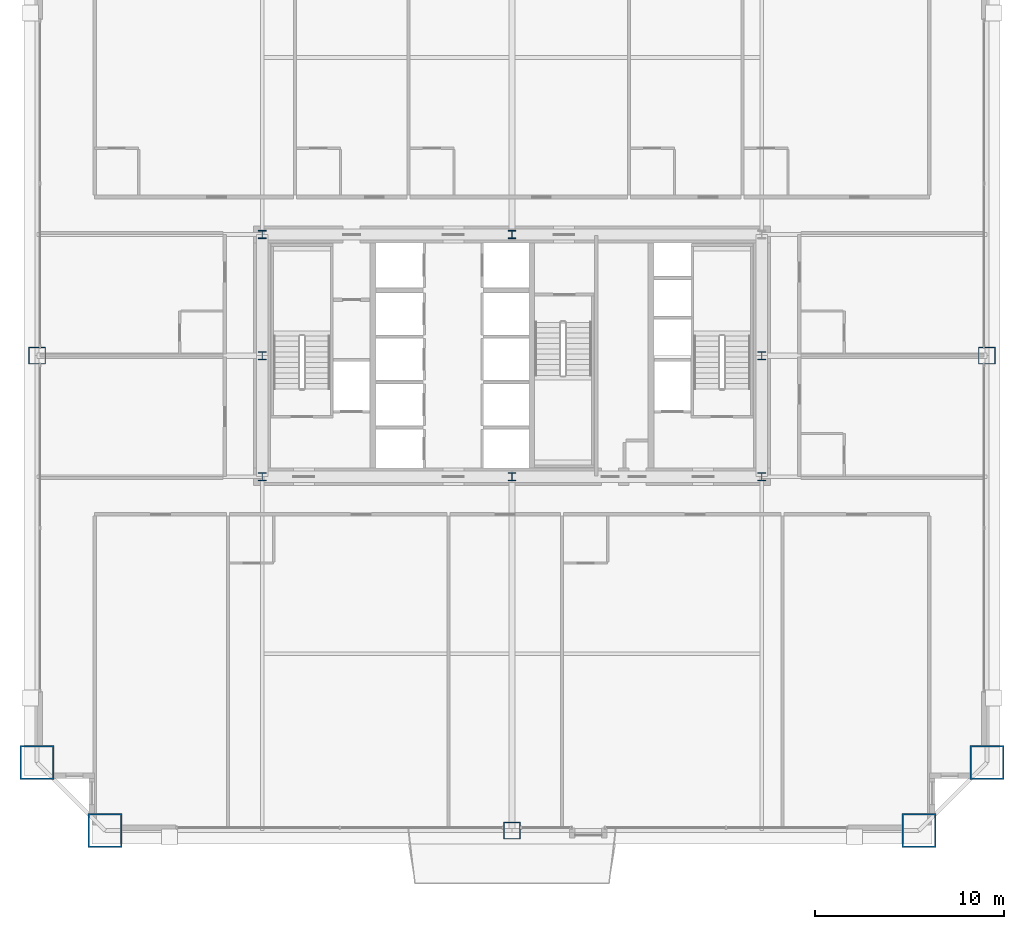
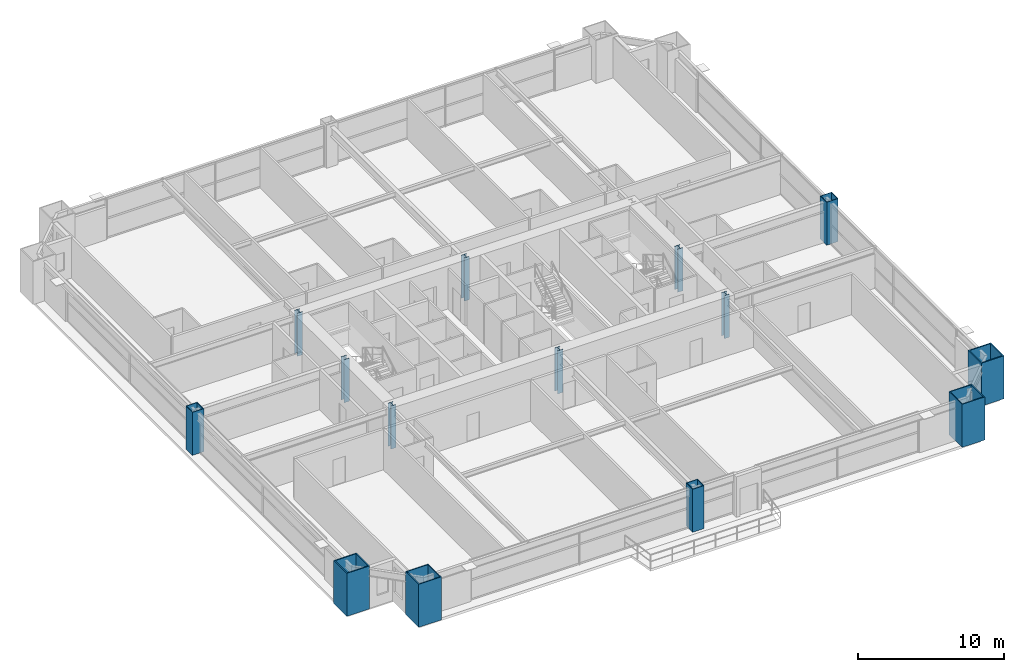
# One storey, part 1 of 43: 14 columns.
"""IFC4 building model written with IfcOpenShell, lengths in metres."""

from ifc_helpers import new_model, si_unit, direction, frame, origin, origin_2d, place, context, subcontext, project, spatial, hollow_rectangle, i_section, extrude, source, transform, mapped, material, material_profile, profile_set, type_object, element, save


model = new_model("IFC4")

# Units and contexts
model_context = context("Model", 3, precision=1e-05, world=origin(), true_north=direction((0.0, 1.0)))
body_context = subcontext(model_context, "Body", "Model", "MODEL_VIEW")
ifc_project = project(units=[si_unit("LENGTHUNIT", "METRE"), si_unit("AREAUNIT", "SQUARE_METRE"), si_unit("VOLUMEUNIT", "CUBIC_METRE"), si_unit("PLANEANGLEUNIT", "RADIAN"), si_unit("MASSUNIT", "GRAM", prefix="KILO"), si_unit("THERMODYNAMICTEMPERATUREUNIT", "KELVIN"), si_unit("POWERUNIT", "WATT")], contexts=[model_context])

# Site, building, storey
site_placement = place(None, origin())
site = spatial("IfcSite", under=ifc_project, at=site_placement, CompositionType="ELEMENT")
building_placement = place(site_placement, origin())
building = spatial("IfcBuilding", under=site, at=building_placement, Name="Yuzanri Waterfront Tower", CompositionType="ELEMENT")
storey_placement = place(building_placement, frame((0.0, 0.0, 78.39990234375)))
storey = spatial("IfcBuildingStorey", under=building, at=storey_placement, Name="L20", CompositionType="ELEMENT", Elevation=78.39990234375)

# Columns
ifc_material_1 = material(Name="Steel Q355B", Category="steel")
ifc_material_profile_1 = material_profile(ifc_material_1, i_section(OverallWidth=0.406982421875, OverallDepth=0.427978515625, WebThickness=0.02001953125, FlangeThickness=0.034912109375, at=origin_2d()), Name="HW 428x407x20x35")
ifc_profile_set_1 = profile_set([ifc_material_profile_1], Name="Steel Q355B")
column_type_1 = type_object("IfcColumnType", Name="Core Post Q355B HW 428x407x20x35", PredefinedType="COLUMN", material=ifc_profile_set_1)
shared_shape_1 = source(origin(), body_context, "Body", "SweptSolid", [
    extrude(i_section(OverallWidth=0.406982421875, OverallDepth=0.427978515625, WebThickness=0.02001953125, FlangeThickness=0.034912109375, at=origin_2d()), origin(), (0.0, 0.0, 1.0), 3.60009765625),
])
for number, where, z_axis, x_axis, name in (
    (1, (23.800048828125, 19.39990234375, 0.0), (0.0, 0.0, 1.0), (1.0, 0.0, 0.0), "L20 Core Boundary Column CP1"),
    (2, (37.0, 19.39990234375, 0.0), (0.0, 0.0, 1.0), (1.0, 0.0, 0.0), "L20 Core Boundary Column CP2"),
    (3, (50.199951171875, 19.39990234375, 0.0), (0.0, 0.0, 1.0), (1.0, 0.0, 0.0), "L20 Core Boundary Column CP3"),
    (4, (23.800048828125, 25.800048828125, 0.0), (0.0, 0.0, 1.0), (1.0, 0.0, 0.0), "L20 Core Boundary Column CP4"),
    (5, (50.199951171875, 25.800048828125, 0.0), (0.0, 0.0, 1.0), (1.0, 0.0, 0.0), "L20 Core Boundary Column CP5"),
    (6, (23.800048828125, 32.199951171875, 0.0), (0.0, 0.0, 1.0), (1.0, 0.0, 0.0), "L20 Core Boundary Column CP6"),
    (7, (37.0, 32.199951171875, 0.0), (0.0, 0.0, 1.0), (1.0, 0.0, 0.0), "L20 Core Boundary Column CP7"),
):
    element("IfcColumn", number, at=place(storey_placement, frame(where, z_axis=z_axis, x_axis=x_axis)), inside=storey, type_object=column_type_1, Name=name, PredefinedType="COLUMN", context=body_context, shape_type="MappedRepresentation", body=[
        mapped(shared_shape_1, transform((0.0, 0.0, 0.0), scale=1.0)),
    ])
ifc_material_2 = material(Name="Steel Q420GJC", Category="steel")
ifc_material_profile_2 = material_profile(ifc_material_2, hollow_rectangle(XDim=1.800048828125, YDim=1.800048828125, WallThickness=0.080078125, at=origin_2d()), Name="RHS 1800x1800x80")
ifc_profile_set_2 = profile_set([ifc_material_profile_2], Name="Steel Q420GJC")
column_type_2 = type_object("IfcColumnType", Name="Mega Column Q420GJC RHS 1800x1800x80", PredefinedType="COLUMN", material=ifc_profile_set_2)
shared_shape_2 = source(origin(), body_context, "Body", "SweptSolid", [
    extrude(hollow_rectangle(XDim=1.800048828125, YDim=1.800048828125, WallThickness=0.080078125, at=origin_2d()), origin(), (0.0, 0.0, 1.0), 3.60009765625),
])
for number, where, z_axis, x_axis, name in (
    (8, (15.5, 0.699951171875, 0.0), (0.0, 0.0, 1.0), (1.0, 0.0, 0.0), "L20 Perimeter Mega Column S1"),
    (9, (58.5, 0.699951171875, 0.0), (0.0, 0.0, 1.0), (1.0, 0.0, 0.0), "L20 Perimeter Mega Column S3"),
    (10, (11.89990234375, 4.300048828125, 0.0), (0.0, 0.0, 1.0), (1.0, 0.0, 0.0), "L20 Perimeter Mega Column W1"),
    (11, (62.10009765625, 4.300048828125, 0.0), (0.0, 0.0, 1.0), (1.0, 0.0, 0.0), "L20 Perimeter Mega Column E1"),
):
    element("IfcColumn", number, at=place(storey_placement, frame(where, z_axis=z_axis, x_axis=x_axis)), inside=storey, type_object=column_type_2, Name=name, PredefinedType="COLUMN", context=body_context, shape_type="MappedRepresentation", body=[
        mapped(shared_shape_2, transform((0.0, 0.0, 0.0), scale=1.0)),
    ])
ifc_material_3 = material(Name="Steel Q390GJC", Category="steel")
ifc_material_profile_3 = material_profile(ifc_material_3, hollow_rectangle(XDim=0.89990234375, YDim=0.89990234375, WallThickness=0.0419921875, at=origin_2d()), Name="RHS 900x900x42")
ifc_profile_set_3 = profile_set([ifc_material_profile_3], Name="Steel Q390GJC")
column_type_3 = type_object("IfcColumnType", Name="Frame Column Q390GJC RHS 900x900x42", PredefinedType="COLUMN", material=ifc_profile_set_3)
shared_shape_3 = source(origin(), body_context, "Body", "SweptSolid", [
    extrude(hollow_rectangle(XDim=0.89990234375, YDim=0.89990234375, WallThickness=0.0419921875, at=origin_2d()), origin(), (0.0, 0.0, 1.0), 3.60009765625),
])
for number, where, z_axis, x_axis, name in (
    (12, (37.0, 0.699951171875, 0.0), (0.0, 0.0, 1.0), (1.0, 0.0, 0.0), "L20 Perimeter Frame Column S2"),
    (13, (11.89990234375, 25.800048828125, 0.0), (0.0, 0.0, 1.0), (1.0, 0.0, 0.0), "L20 Perimeter Frame Column W2"),
    (14, (62.10009765625, 25.800048828125, 0.0), (0.0, 0.0, 1.0), (1.0, 0.0, 0.0), "L20 Perimeter Frame Column E2"),
):
    element("IfcColumn", number, at=place(storey_placement, frame(where, z_axis=z_axis, x_axis=x_axis)), inside=storey, type_object=column_type_3, Name=name, PredefinedType="COLUMN", context=body_context, shape_type="MappedRepresentation", body=[
        mapped(shared_shape_3, transform((0.0, 0.0, 0.0), scale=1.0)),
    ])

save(model, "model.ifc")
